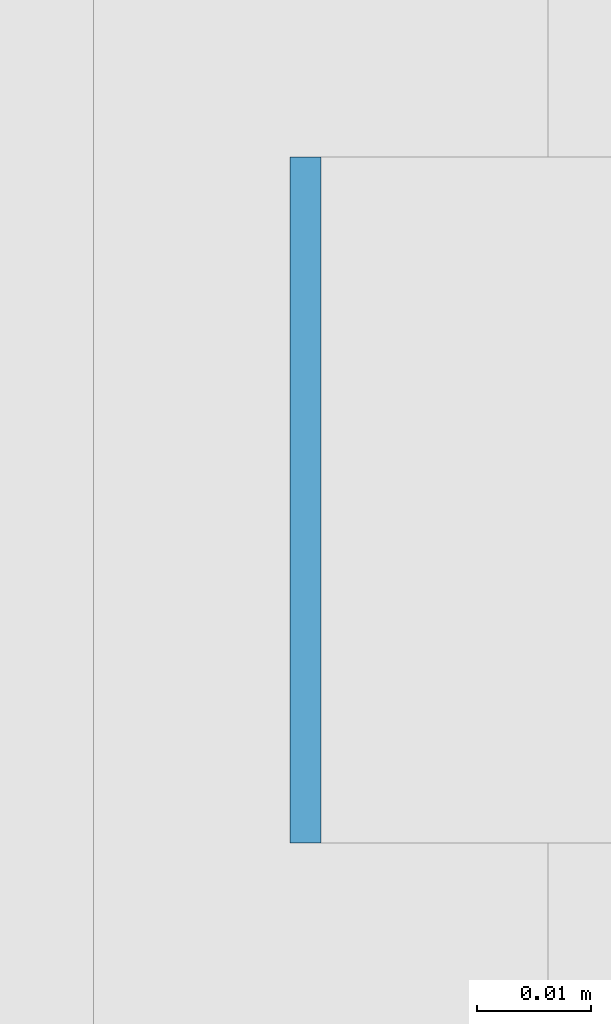
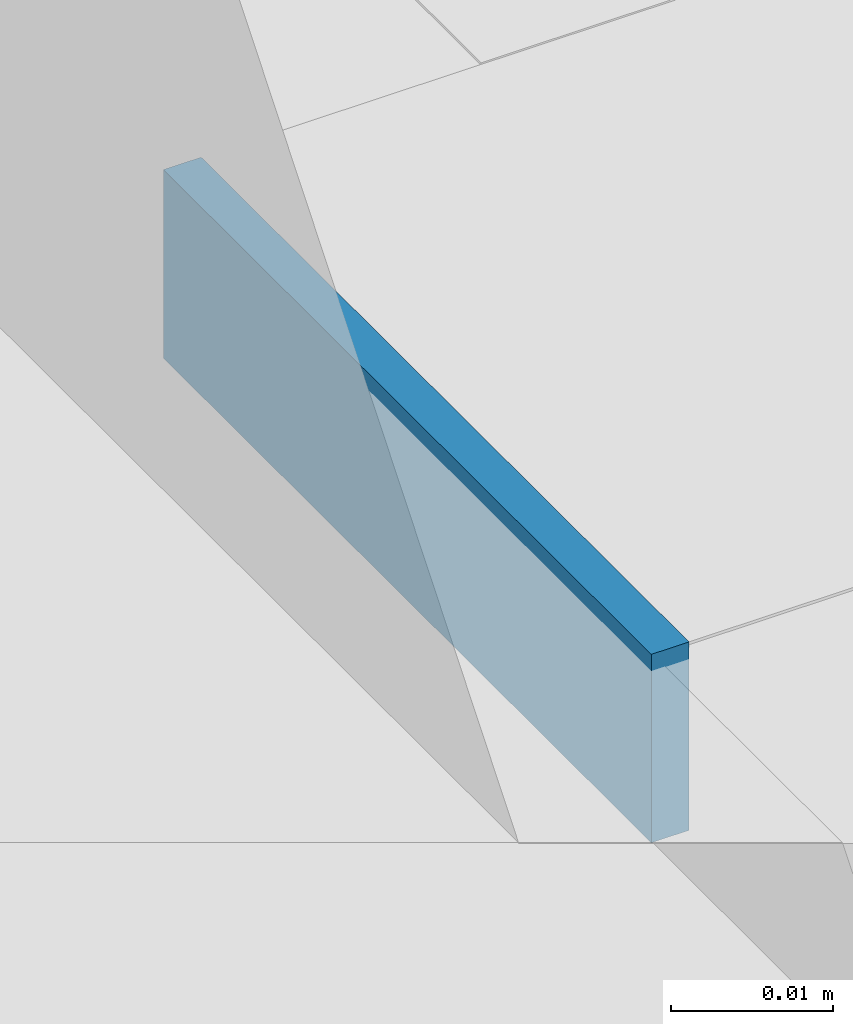
# One storey, part 435 of 646: 1 discrete accessory.
"""IFC4 building model written with IfcOpenShell, lengths in metres."""

from ifc_helpers import new_model, si_unit, direction, frame, origin, origin_2d, place, context, subcontext, project, spatial, rectangle, extrude, material, type_object, element, save


model = new_model("IFC4")

# Units and contexts
model_context = context("Model", 3, precision=1e-05, world=origin(), true_north=direction((0.0, 1.0)))
body_context = subcontext(model_context, "Body", "Model", "MODEL_VIEW")
ifc_project = project(units=[si_unit("LENGTHUNIT", "METRE"), si_unit("AREAUNIT", "SQUARE_METRE"), si_unit("VOLUMEUNIT", "CUBIC_METRE"), si_unit("PLANEANGLEUNIT", "RADIAN"), si_unit("MASSUNIT", "GRAM", prefix="KILO")], contexts=[model_context])

# Site, building, storey
site_placement = place(None, origin())
site = spatial("IfcSite", under=ifc_project, at=site_placement, CompositionType="ELEMENT")
building_placement = place(site_placement, origin())
building = spatial("IfcBuilding", under=site, at=building_placement, Name="Silverbay Arena", CompositionType="ELEMENT")
storey_placement = place(building_placement, frame((0.0, 0.0, 33.5)))
storey = spatial("IfcBuildingStorey", under=building, at=storey_placement, Name="L05", CompositionType="ELEMENT", Elevation=33.5)

# Discrete accessory
ifc_material = material(Name="Steel S355", Category="steel")
discrete_accessory_type = type_object("IfcDiscreteAccessoryType", Name="Steel bracket plate", PredefinedType="BRACKET", material=ifc_material)
discrete_accessory_placement = place(storey_placement, frame((207.128662109375, 30.2666015625, 12.98583984375), z_axis=(0.0, 0.0, 1.0), x_axis=(1.0, 0.0, 0.0)))
element("IfcDiscreteAccessory", 1, at=discrete_accessory_placement, inside=storey, type_object=discrete_accessory_type, Name="Curtain wall packing plate", PredefinedType="BRACKET", context=body_context, shape_type="SweptSolid", body=[
    extrude(rectangle(XDim=0.002685546875, YDim=0.06005859375, at=origin_2d()), origin(), (0.0, 0.0, 1.0), 0.01416015625),
])

save(model, "model.ifc")
